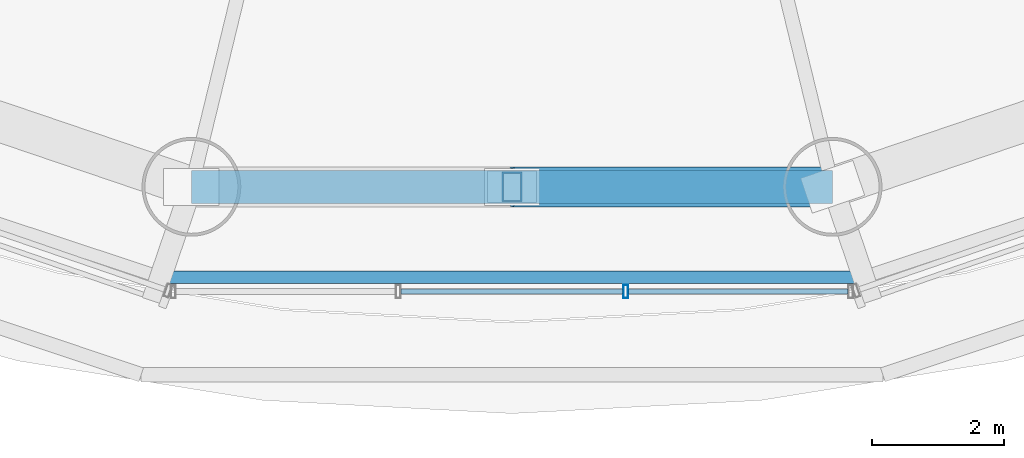
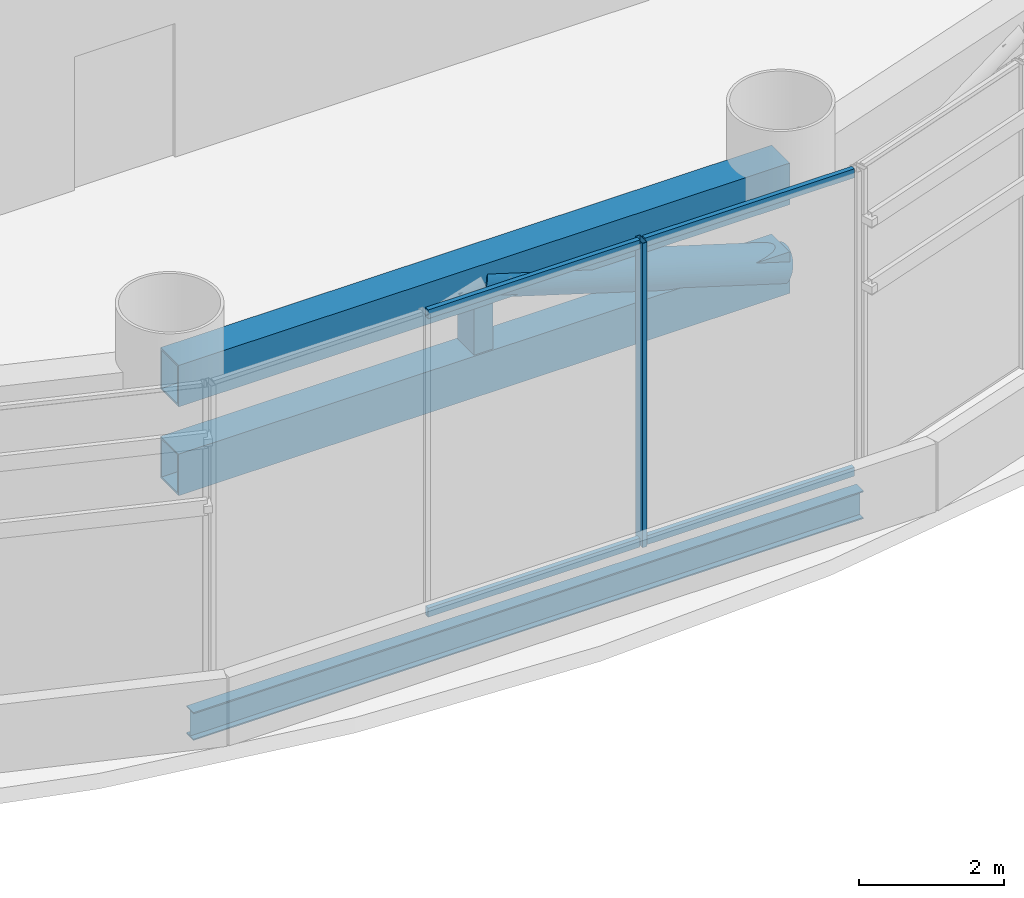
# One storey, part 6 of 33: 9 members, 1 beam, 1 element without a shape of its own.
"""IFC4 building model written with IfcOpenShell, lengths in metres."""

from ifc_helpers import new_model, si_unit, direction, frame, origin, origin_2d, place, context, subcontext, project, spatial, hollow_rectangle, hollow_circle, i_section, extrude, source, transform, mapped, material, material_profile, profile_set, type_object, element, aggregate, save


model = new_model("IFC4")

# Units and contexts
model_context = context("Model", 3, precision=1e-05, world=origin(), true_north=direction((-0.2419218956, 0.970295726276)))
body_context = subcontext(model_context, "Body", "Model", "MODEL_VIEW")
ifc_project = project(units=[si_unit("LENGTHUNIT", "METRE"), si_unit("AREAUNIT", "SQUARE_METRE"), si_unit("VOLUMEUNIT", "CUBIC_METRE"), si_unit("PLANEANGLEUNIT", "RADIAN"), si_unit("MASSUNIT", "GRAM", prefix="KILO")], contexts=[model_context])

# Site, building, storey
site_placement = place(None, origin())
site = spatial("IfcSite", under=ifc_project, at=site_placement, CompositionType="ELEMENT")
building_placement = place(site_placement, origin())
building = spatial("IfcBuilding", under=site, at=building_placement, Name="Cobrevalo Terracotta Tower", CompositionType="ELEMENT")
storey_placement = place(building_placement, frame((0.0, 0.0, 74.39990234375)))
storey = spatial("IfcBuildingStorey", under=building, at=storey_placement, Name="L19", CompositionType="ELEMENT", Elevation=74.39990234375)

# Beam
ifc_material_1 = material(Name="Steel S355", Category="steel")
ifc_material_profile_1 = material_profile(ifc_material_1, i_section(OverallWidth=0.194091796875, OverallDepth=0.468994140625, WebThickness=0.011474609375, FlangeThickness=0.0205078125, at=origin_2d()), Name="W 460x106")
ifc_profile_set_1 = profile_set([ifc_material_profile_1], Name="Steel S355")
beam_type = type_object("IfcBeamType", Name="Structural Spandrel W 460x106 (Steel S355)", PredefinedType="SPANDREL", material=ifc_profile_set_1)
beam_placement = place(storey_placement, frame((32.664306640625, 5.369873046875, -0.684326171875), z_axis=(1.0, 0.0, 0.0), x_axis=(0.0, 1.0, 0.0)))
element("IfcBeam", 1, at=beam_placement, inside=storey, type_object=beam_type, Name="L19 perimeter ring spandrel 12", PredefinedType="SPANDREL", context=body_context, shape_type="SweptSolid", body=[
    extrude(i_section(OverallWidth=0.194091796875, OverallDepth=0.468994140625, WebThickness=0.011474609375, FlangeThickness=0.0205078125, at=origin_2d()), origin(), (0.0, 0.0, 1.0), 10.67138671875),
])

# Members
ifc_material_profile_2 = material_profile(ifc_material_1, hollow_rectangle(XDim=0.300048828125, YDim=0.449951171875, WallThickness=0.02001953125, at=origin_2d()), Name="RHS 450x300x20")
ifc_profile_set_2 = profile_set([ifc_material_profile_2], Name="Steel S355")
member_type_1 = type_object("IfcMemberType", Name="Steel Post RHS 450x300x20 (Steel S355)", PredefinedType="POST", material=ifc_profile_set_2)
shared_shape_1 = source(origin(), body_context, "Body", "SweptSolid", [
    extrude(hollow_rectangle(XDim=0.300048828125, YDim=0.449951171875, WallThickness=0.02001953125, at=origin_2d()), origin(), (0.0, 0.0, 1.0), 1.494873046875),
])
member_1_placement = place(storey_placement, frame((38.0, 6.742919921875, 2.650146484375), z_axis=(0.0, 0.0, 1.0), x_axis=(1.0, 0.0, 0.0)))
element("IfcMember", 2, at=member_1_placement, inside=storey, type_object=member_type_1, Name="L19 belt truss post 12", PredefinedType="POST", context=body_context, shape_type="MappedRepresentation", body=[
    mapped(shared_shape_1, transform((0.0, 0.0, 0.0), scale=1.0)),
])
ifc_material_profile_3 = material_profile(ifc_material_1, hollow_rectangle(XDim=0.5, YDim=0.699951171875, WallThickness=0.031982421875, at=origin_2d()), Name="RHS 700x500x32")
ifc_profile_set_3 = profile_set([ifc_material_profile_3], Name="Steel S355")
member_type_2 = type_object("IfcMemberType", Name="Steel Chord RHS 700x500x32 (Steel S355)", PredefinedType="CHORD", material=ifc_profile_set_3)
shared_shape_2 = source(origin(), body_context, "Body", "SweptSolid", [
    extrude(hollow_rectangle(XDim=0.5, YDim=0.699951171875, WallThickness=0.031982421875, at=origin_2d()), origin(), (0.0, 0.0, 1.0), 9.73486328125),
])
for number, where, z_axis, x_axis, name in (
    (3, (33.132568359375, 6.742919921875, 2.650146484375), (1.0, 0.0, 0.0), (0.0, 1.0, 0.0), "L19 belt truss chord 12-BC"),
    (4, (33.132568359375, 6.742919921875, 4.14501953125), (1.0, 0.0, 0.0), (0.0, 1.0, 0.0), "L19 belt truss chord 12-TC"),
):
    element("IfcMember", number, at=place(storey_placement, frame(where, z_axis=z_axis, x_axis=x_axis)), inside=storey, type_object=member_type_2, Name=name, PredefinedType="CHORD", context=body_context, shape_type="MappedRepresentation", body=[
        mapped(shared_shape_2, transform((0.0, 0.0, 0.0), scale=1.0)),
    ])
ifc_material_profile_4 = material_profile(ifc_material_1, hollow_circle(Radius=0.304931640625, WallThickness=0.02490234375, at=origin_2d()), Name="CHS 610x25")
ifc_profile_set_4 = profile_set([ifc_material_profile_4], Name="Steel S355")
member_type_3 = type_object("IfcMemberType", Name="Steel Brace CHS 610x25 (Steel S355)", PredefinedType="BRACE", material=ifc_profile_set_4)
shared_shape_3 = source(origin(), body_context, "Body", "SweptSolid", [
    extrude(hollow_circle(Radius=0.304931640625, WallThickness=0.02490234375, at=origin_2d()), origin(), (0.0, 0.0, 1.0), 5.091796875),
])
member_2_placement = place(storey_placement, frame((42.867431640625, 6.742919921875, 2.650146484375), z_axis=(-0.955933346232, 0.0, 0.293583782865), x_axis=(0.0, -1.0, 0.0)))
element("IfcMember", 5, at=member_2_placement, inside=storey, type_object=member_type_3, Name="L19 belt truss diagonal brace 12-D2", PredefinedType="BRACE", context=body_context, shape_type="MappedRepresentation", body=[
    mapped(shared_shape_3, transform((0.0, 0.0, 0.0), scale=1.0)),
])

# Curtain wall, members
ifc_material_2 = material(Name="Anodized aluminium", Category="aluminium")
curtain_wall_type = type_object("IfcCurtainWallType", Name="Belt-truss plant acoustic weather-louvre curtain wall CW-LV", PredefinedType="NOTDEFINED", material=ifc_material_2)
curtain_wall_placement = place(storey_placement, origin())
curtain_wall = element("IfcCurtainWall", 6, at=curtain_wall_placement, inside=storey, type_object=curtain_wall_type, Name="L19 curtain wall CW-LV-L19-S12", PredefinedType="NOTDEFINED")
ifc_material_profile_5 = material_profile(ifc_material_2, hollow_rectangle(XDim=0.074951171875, YDim=0.199951171875, WallThickness=0.0048828125, at=origin_2d()), Name="CWM 75x200")
ifc_profile_set_5 = profile_set([ifc_material_profile_5], Name="Anodized aluminium")
member_type_4 = type_object("IfcMemberType", Name="Lower/mid tower unitised mullion 75x200", PredefinedType="MULLION", material=ifc_profile_set_5)
shared_shape_4 = source(origin(), body_context, "Body", "SweptSolid", [
    extrude(hollow_rectangle(XDim=0.074951171875, YDim=0.199951171875, WallThickness=0.0048828125, at=origin_2d()), origin(), (0.0, 0.0, 1.0), 5.125),
])
member_3_placement = place(storey_placement, frame((39.727783203125, 5.154052734375, 0.0), z_axis=(0.0, 0.0, 1.0), x_axis=(1.0, 0.0, 0.0)))
member_3 = element("IfcMember", 7, at=member_3_placement, type_object=member_type_4, Name="CW-LV-L19-S12 vertical mullion 03", PredefinedType="MULLION", context=body_context, shape_type="MappedRepresentation", body=[
    mapped(shared_shape_4, transform((0.0, 0.0, 0.0), scale=1.0)),
])
ifc_material_profile_6 = material_profile(ifc_material_2, hollow_rectangle(XDim=0.074951171875, YDim=0.14990234375, WallThickness=0.00439453125, at=origin_2d()), Name="CWT 75x150")
ifc_profile_set_6 = profile_set([ifc_material_profile_6], Name="Anodized aluminium")
member_type_5 = type_object("IfcMemberType", Name="Tower unitised aluminium transom 75x150", PredefinedType="USERDEFINED", material=ifc_profile_set_6)
shared_shape_5 = source(origin(), body_context, "Body", "SweptSolid", [
    extrude(hollow_rectangle(XDim=0.074951171875, YDim=0.14990234375, WallThickness=0.00439453125, at=origin_2d()), origin(), (0.0, 0.0, 1.0), 3.335693359375),
])
member_4_placement = place(storey_placement, frame((39.767822265625, 5.154052734375, 0.050048828125), z_axis=(1.0, 0.0, 0.0), x_axis=(0.0, 1.0, 0.0)))
member_4 = element("IfcMember", 8, at=member_4_placement, type_object=member_type_5, Name="CW-LV-L19-S12 transom B03-T1", ObjectType="TRANSOM", PredefinedType="USERDEFINED", context=body_context, shape_type="MappedRepresentation", body=[
    mapped(shared_shape_5, transform((0.0, 0.0, 0.0), scale=1.0)),
])
member_5_placement = place(storey_placement, frame((39.767822265625, 5.154052734375, 5.0751953125), z_axis=(1.0, 0.0, 0.0), x_axis=(0.0, 1.0, 0.0)))
member_5 = element("IfcMember", 9, at=member_5_placement, type_object=member_type_5, Name="CW-LV-L19-S12 transom B03-T2", ObjectType="TRANSOM", PredefinedType="USERDEFINED", context=body_context, shape_type="MappedRepresentation", body=[
    mapped(shared_shape_5, transform((0.0, 0.0, 0.0), scale=1.0)),
])
shared_shape_6 = source(origin(), body_context, "Body", "SweptSolid", [
    extrude(hollow_rectangle(XDim=0.074951171875, YDim=0.14990234375, WallThickness=0.00439453125, at=origin_2d()), origin(), (0.0, 0.0, 1.0), 3.37548828125),
])
member_6_placement = place(storey_placement, frame((36.312255859375, 5.154052734375, 0.050048828125), z_axis=(1.0, 0.0, 0.0), x_axis=(0.0, 1.0, 0.0)))
member_6 = element("IfcMember", 10, at=member_6_placement, type_object=member_type_5, Name="CW-LV-L19-S12 transom B02-T1", ObjectType="TRANSOM", PredefinedType="USERDEFINED", context=body_context, shape_type="MappedRepresentation", body=[
    mapped(shared_shape_6, transform((0.0, 0.0, 0.0), scale=1.0)),
])
member_7_placement = place(storey_placement, frame((36.312255859375, 5.154052734375, 5.0751953125), z_axis=(1.0, 0.0, 0.0), x_axis=(0.0, 1.0, 0.0)))
member_7 = element("IfcMember", 11, at=member_7_placement, type_object=member_type_5, Name="CW-LV-L19-S12 transom B02-T2", ObjectType="TRANSOM", PredefinedType="USERDEFINED", context=body_context, shape_type="MappedRepresentation", body=[
    mapped(shared_shape_6, transform((0.0, 0.0, 0.0), scale=1.0)),
])
aggregate(curtain_wall, [member_3, member_6, member_7, member_4, member_5])

save(model, "model.ifc")
